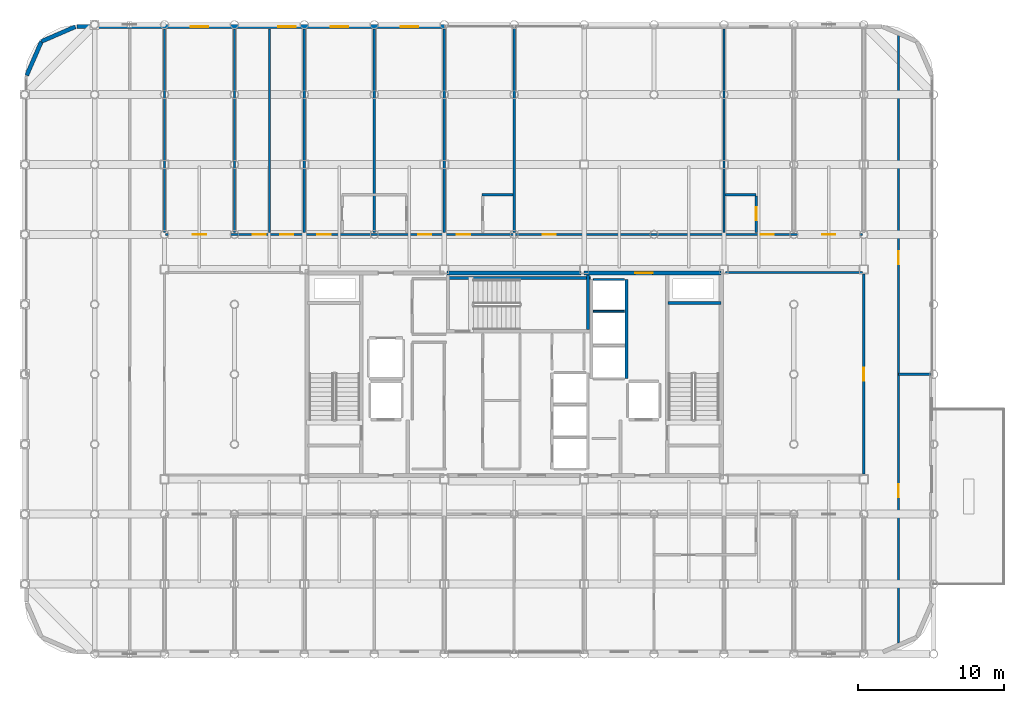
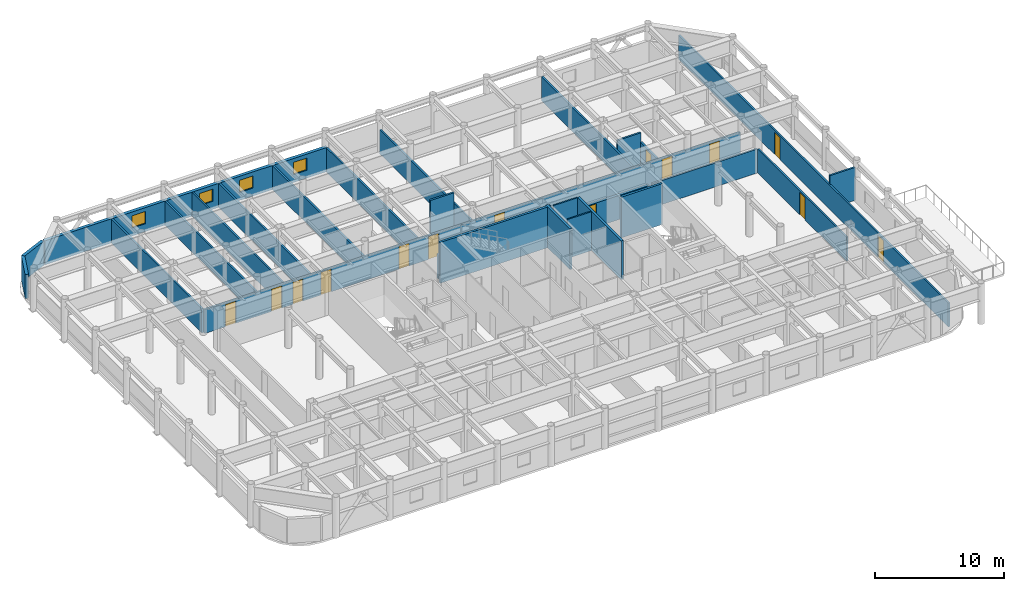
# One storey, part 22 of 25: 27 walls, 14 doors, 4 windows, 18 openings.
"""IFC4 building model written with IfcOpenShell, lengths in metres."""

from ifc_helpers import new_model, si_unit, direction, frame, frame_2d, origin, place, context, subcontext, project, spatial, rectangle, extrude, material, layer, layer_set, type_object, element, fill, save


model = new_model("IFC4")

# Units and contexts
model_context = context("Model", 3, precision=1e-05, world=origin(), true_north=direction((0.0, 1.0)))
body_context = subcontext(model_context, "Body", "Model", "MODEL_VIEW")
ifc_project = project(units=[si_unit("LENGTHUNIT", "METRE"), si_unit("AREAUNIT", "SQUARE_METRE"), si_unit("VOLUMEUNIT", "CUBIC_METRE"), si_unit("PLANEANGLEUNIT", "RADIAN"), si_unit("MASSUNIT", "GRAM", prefix="KILO")], contexts=[model_context])

# Site, building, storey
site_placement = place(None, origin())
site = spatial("IfcSite", under=ifc_project, at=site_placement, CompositionType="ELEMENT")
building_placement = place(site_placement, origin())
building = spatial("IfcBuilding", under=site, at=building_placement, Name="Kallvorn Hotel Tower", CompositionType="ELEMENT")
storey_placement = place(building_placement, frame((0.0, 0.0, 249.25)))
storey = spatial("IfcBuildingStorey", under=building, at=storey_placement, Name="L62", CompositionType="ELEMENT", Elevation=249.25)

# Wall, openings, doors
ifc_material_1 = material(Name="Fire-rated double-layer acoustic gypsum drywall EI 60")
ifc_layer_1 = layer(ifc_material_1, 0.159912109375)
ifc_layer_set_1 = layer_set([ifc_layer_1], Name="WL_DEMISE_160")
wall_type_1 = type_object("IfcWallType", Name="WL_DEMISE_160", PredefinedType="PARTITIONING", material=ifc_layer_set_1)
wall_1_placement = place(storey_placement, frame((-23.919921875, 9.60009765625, 0.0), z_axis=(0.0, 0.0, 1.0), x_axis=(1.0, 0.0, 0.0)))
wall_1 = element("IfcWall", 1, at=wall_1_placement, inside=storey, type_object=wall_type_1, Name="L62 Suite 6203 Standard Twin Room Partition", PredefinedType="PARTITIONING", context=body_context, shape_type="SweptSolid", body=[
    extrude(rectangle(XDim=47.83984375, YDim=0.159912109375, at=frame_2d((23.919921875, 0.0))), origin(), (0.0, 0.0, 1.0), 2.27001953125),
])
opening_1_placement = place(wall_1_placement, frame((1.8701171875, 0.0, 0.0)))
opening_1 = element("IfcOpeningElement", 2, at=opening_1_placement, cuts=wall_1, Name="Opening SVD1", PredefinedType="OPENING", context=body_context, shape_type="SweptSolid", body=[
    extrude(rectangle(XDim=0.89990234375, YDim=2.10009765625, at=frame_2d((0.449951171875, 1.050048828125))), frame((0.0, 0.094970703125, 0.0), z_axis=(0.0, -1.0, 0.0), x_axis=(1.0, 0.0, 0.0)), (0.0, 0.0, 1.0), 0.18994140625),
])
opening_2_placement = place(wall_1_placement, frame((45.070068359375, 0.0, 0.0)))
opening_2 = element("IfcOpeningElement", 3, at=opening_2_placement, cuts=wall_1, Name="Opening SVD1", PredefinedType="OPENING", context=body_context, shape_type="SweptSolid", body=[
    extrude(rectangle(XDim=0.89990234375, YDim=2.10009765625, at=frame_2d((0.449951171875, 1.050048828125))), frame((0.0, 0.094970703125, 0.0), z_axis=(0.0, -1.0, 0.0), x_axis=(1.0, 0.0, 0.0)), (0.0, 0.0, 1.0), 0.18994140625),
])
opening_3_placement = place(wall_1_placement, frame((5.97998046875, 0.0, 0.0)))
opening_3 = element("IfcOpeningElement", 4, at=opening_3_placement, cuts=wall_1, Name="Opening SVD1", PredefinedType="OPENING", context=body_context, shape_type="SweptSolid", body=[
    extrude(rectangle(XDim=0.89990234375, YDim=2.10009765625, at=frame_2d((0.449951171875, 1.050048828125))), frame((0.0, 0.094970703125, 0.0), z_axis=(0.0, -1.0, 0.0), x_axis=(1.0, 0.0, 0.0)), (0.0, 0.0, 1.0), 0.18994140625),
])
opening_4_placement = place(wall_1_placement, frame((7.8701171875, 0.0, 0.0)))
opening_4 = element("IfcOpeningElement", 5, at=opening_4_placement, cuts=wall_1, Name="Opening SVD1", PredefinedType="OPENING", context=body_context, shape_type="SweptSolid", body=[
    extrude(rectangle(XDim=0.89990234375, YDim=2.10009765625, at=frame_2d((0.449951171875, 1.050048828125))), frame((0.0, 0.094970703125, 0.0), z_axis=(0.0, -1.0, 0.0), x_axis=(1.0, 0.0, 0.0)), (0.0, 0.0, 1.0), 0.18994140625),
])
opening_5_placement = place(wall_1_placement, frame((10.39501953125, 0.0, 0.0)))
opening_5 = element("IfcOpeningElement", 6, at=opening_5_placement, cuts=wall_1, Name="Opening GD1", PredefinedType="OPENING", context=body_context, shape_type="SweptSolid", body=[
    extrude(rectangle(XDim=0.919921875, YDim=2.14990234375, at=frame_2d((0.4599609375, 1.074951171875))), frame((0.0, 0.094970703125, 0.0), z_axis=(0.0, -1.0, 0.0), x_axis=(1.0, 0.0, 0.0)), (0.0, 0.0, 1.0), 0.18994140625),
])
opening_6_placement = place(wall_1_placement, frame((17.324951171875, 0.0, 0.0)))
opening_6 = element("IfcOpeningElement", 7, at=opening_6_placement, cuts=wall_1, Name="Opening GD1", PredefinedType="OPENING", context=body_context, shape_type="SweptSolid", body=[
    extrude(rectangle(XDim=0.919921875, YDim=2.14990234375, at=frame_2d((0.4599609375, 1.074951171875))), frame((0.0, 0.094970703125, 0.0), z_axis=(0.0, -1.0, 0.0), x_axis=(1.0, 0.0, 0.0)), (0.0, 0.0, 1.0), 0.18994140625),
])
opening_7_placement = place(wall_1_placement, frame((19.9951171875, 0.0, 0.0)))
opening_7 = element("IfcOpeningElement", 8, at=opening_7_placement, cuts=wall_1, Name="Opening GD1", PredefinedType="OPENING", context=body_context, shape_type="SweptSolid", body=[
    extrude(rectangle(XDim=0.919921875, YDim=2.14990234375, at=frame_2d((0.4599609375, 1.074951171875))), frame((0.0, 0.094970703125, 0.0), z_axis=(0.0, -1.0, 0.0), x_axis=(1.0, 0.0, 0.0)), (0.0, 0.0, 1.0), 0.18994140625),
])
opening_8_placement = place(wall_1_placement, frame((25.8701171875, 0.0, 0.0)))
opening_8 = element("IfcOpeningElement", 9, at=opening_8_placement, cuts=wall_1, Name="Opening SVD1", PredefinedType="OPENING", context=body_context, shape_type="SweptSolid", body=[
    extrude(rectangle(XDim=0.89990234375, YDim=2.10009765625, at=frame_2d((0.449951171875, 1.050048828125))), frame((0.0, 0.094970703125, 0.0), z_axis=(0.0, -1.0, 0.0), x_axis=(1.0, 0.0, 0.0)), (0.0, 0.0, 1.0), 0.18994140625),
])
opening_9_placement = place(wall_1_placement, frame((40.830078125, 0.0, 0.0)))
opening_9 = element("IfcOpeningElement", 10, at=opening_9_placement, cuts=wall_1, Name="Opening GD1", PredefinedType="OPENING", context=body_context, shape_type="SweptSolid", body=[
    extrude(rectangle(XDim=0.919921875, YDim=2.14990234375, at=frame_2d((0.4599609375, 1.074951171875))), frame((0.0, 0.094970703125, 0.0), z_axis=(0.0, -1.0, 0.0), x_axis=(1.0, 0.0, 0.0)), (0.0, 0.0, 1.0), 0.18994140625),
])
ifc_material_2 = material(Name="Solid-core walnut veneer fire-rated timber door leaf", Category="wood")
door_type_1 = type_object("IfcDoorType", Name="DR_GUEST_920x2150", OperationType="NOTDEFINED", PredefinedType="DOOR", material=ifc_material_2)
door_1_placement = place(opening_5_placement, origin())
door_1 = element("IfcDoor", 11, at=door_1_placement, inside=storey, type_object=door_type_1, Name="L62 Suite 6203 Standard Twin Room Door", OperationType="SINGLE_SWING_RIGHT", OverallHeight=2.14990234375, OverallWidth=0.919921875, PredefinedType="DOOR", context=body_context, shape_type="SweptSolid", body=[
    extrude(rectangle(XDim=0.919921875, YDim=2.14990234375, at=frame_2d((0.4599609375, 1.074951171875))), frame((0.0, 0.02490234375, 0.0), z_axis=(0.0, -1.0, 0.0), x_axis=(1.0, 0.0, 0.0)), (0.0, 0.0, 1.0), 0.050048828125),
])
fill(opening_5, door_1)
door_2_placement = place(opening_6_placement, origin())
door_2 = element("IfcDoor", 12, at=door_2_placement, inside=storey, type_object=door_type_1, Name="L62 Suite 6204 Standard Twin Room Door", OperationType="SINGLE_SWING_RIGHT", OverallHeight=2.14990234375, OverallWidth=0.919921875, PredefinedType="DOOR", context=body_context, shape_type="SweptSolid", body=[
    extrude(rectangle(XDim=0.919921875, YDim=2.14990234375, at=frame_2d((0.4599609375, 1.074951171875))), frame((0.0, 0.02490234375, 0.0), z_axis=(0.0, -1.0, 0.0), x_axis=(1.0, 0.0, 0.0)), (0.0, 0.0, 1.0), 0.050048828125),
])
fill(opening_6, door_2)
door_3_placement = place(opening_7_placement, origin())
door_3 = element("IfcDoor", 13, at=door_3_placement, inside=storey, type_object=door_type_1, Name="L62 Suite 6205 Standard Twin Room Door", OperationType="SINGLE_SWING_RIGHT", OverallHeight=2.14990234375, OverallWidth=0.919921875, PredefinedType="DOOR", context=body_context, shape_type="SweptSolid", body=[
    extrude(rectangle(XDim=0.919921875, YDim=2.14990234375, at=frame_2d((0.4599609375, 1.074951171875))), frame((0.0, 0.02490234375, 0.0), z_axis=(0.0, -1.0, 0.0), x_axis=(1.0, 0.0, 0.0)), (0.0, 0.0, 1.0), 0.050048828125),
])
fill(opening_7, door_3)
door_4_placement = place(opening_9_placement, origin())
door_4 = element("IfcDoor", 14, at=door_4_placement, inside=storey, type_object=door_type_1, Name="L62 Suite 6206 Standard Twin Room Door", OperationType="SINGLE_SWING_RIGHT", OverallHeight=2.14990234375, OverallWidth=0.919921875, PredefinedType="DOOR", context=body_context, shape_type="SweptSolid", body=[
    extrude(rectangle(XDim=0.919921875, YDim=2.14990234375, at=frame_2d((0.4599609375, 1.074951171875))), frame((0.0, 0.02490234375, 0.0), z_axis=(0.0, -1.0, 0.0), x_axis=(1.0, 0.0, 0.0)), (0.0, 0.0, 1.0), 0.050048828125),
])
fill(opening_9, door_4)
ifc_material_3 = material(Name="Galvanised painted steel fire-rated door assembly", Category="steel")
door_type_2 = type_object("IfcDoorType", Name="DR_SERV_900x2100", OperationType="NOTDEFINED", PredefinedType="DOOR", material=ifc_material_3)
door_5_placement = place(opening_1_placement, origin())
door_5 = element("IfcDoor", 15, at=door_5_placement, inside=storey, type_object=door_type_2, Name="L62 L62 High-Zone North-West Reading Salon Door", OperationType="SINGLE_SWING_RIGHT", OverallHeight=2.10009765625, OverallWidth=0.89990234375, PredefinedType="DOOR", context=body_context, shape_type="SweptSolid", body=[
    extrude(rectangle(XDim=0.89990234375, YDim=2.10009765625, at=frame_2d((0.449951171875, 1.050048828125))), frame((0.0, 0.02490234375, 0.0), z_axis=(0.0, -1.0, 0.0), x_axis=(1.0, 0.0, 0.0)), (0.0, 0.0, 1.0), 0.050048828125),
])
fill(opening_1, door_5)
door_6_placement = place(opening_2_placement, origin())
door_6 = element("IfcDoor", 16, at=door_6_placement, inside=storey, type_object=door_type_2, Name="L62 L62 High-Zone North-East Pastry Bar Door", OperationType="SINGLE_SWING_LEFT", OverallHeight=2.10009765625, OverallWidth=0.89990234375, PredefinedType="DOOR", context=body_context, shape_type="SweptSolid", body=[
    extrude(rectangle(XDim=0.89990234375, YDim=2.10009765625, at=frame_2d((0.449951171875, 1.050048828125))), frame((0.0, 0.02490234375, 0.0), z_axis=(0.0, -1.0, 0.0), x_axis=(1.0, 0.0, 0.0)), (0.0, 0.0, 1.0), 0.050048828125),
])
fill(opening_2, door_6)
door_7_placement = place(opening_3_placement, origin())
door_7 = element("IfcDoor", 17, at=door_7_placement, inside=storey, type_object=door_type_2, Name="L62 Housekeeping and Linen Room Door", OperationType="SINGLE_SWING_RIGHT", OverallHeight=2.10009765625, OverallWidth=0.89990234375, PredefinedType="DOOR", context=body_context, shape_type="SweptSolid", body=[
    extrude(rectangle(XDim=0.89990234375, YDim=2.10009765625, at=frame_2d((0.449951171875, 1.050048828125))), frame((0.0, 0.02490234375, 0.0), z_axis=(0.0, -1.0, 0.0), x_axis=(1.0, 0.0, 0.0)), (0.0, 0.0, 1.0), 0.050048828125),
])
fill(opening_3, door_7)
door_8_placement = place(opening_4_placement, origin())
door_8 = element("IfcDoor", 18, at=door_8_placement, inside=storey, type_object=door_type_2, Name="L62 Guest Tea and Refreshment Bar Door", OperationType="SINGLE_SWING_LEFT", OverallHeight=2.10009765625, OverallWidth=0.89990234375, PredefinedType="DOOR", context=body_context, shape_type="SweptSolid", body=[
    extrude(rectangle(XDim=0.89990234375, YDim=2.10009765625, at=frame_2d((0.449951171875, 1.050048828125))), frame((0.0, 0.02490234375, 0.0), z_axis=(0.0, -1.0, 0.0), x_axis=(1.0, 0.0, 0.0)), (0.0, 0.0, 1.0), 0.050048828125),
])
fill(opening_4, door_8)
door_9_placement = place(opening_8_placement, origin())
door_9 = element("IfcDoor", 19, at=door_9_placement, inside=storey, type_object=door_type_2, Name="L62 L62 Cordillera Botanical Tea Salon 5 Door", OperationType="SINGLE_SWING_LEFT", OverallHeight=2.10009765625, OverallWidth=0.89990234375, PredefinedType="DOOR", context=body_context, shape_type="SweptSolid", body=[
    extrude(rectangle(XDim=0.89990234375, YDim=2.10009765625, at=frame_2d((0.449951171875, 1.050048828125))), frame((0.0, 0.02490234375, 0.0), z_axis=(0.0, -1.0, 0.0), x_axis=(1.0, 0.0, 0.0)), (0.0, 0.0, 1.0), 0.050048828125),
])
fill(opening_8, door_9)

# Walls
wall_2_placement = place(storey_placement, frame((-2.2099609375, 12.320068359375, 0.0), z_axis=(0.0, 0.0, 1.0), x_axis=(1.0, 0.0, 0.0)))
element("IfcWall", 20, at=wall_2_placement, inside=storey, type_object=wall_type_1, Name="L62 Suite 6205 Standard Twin Room Partition", PredefinedType="PARTITIONING", context=body_context, shape_type="SweptSolid", body=[
    extrude(rectangle(XDim=2.1298828125, YDim=0.159912109375, at=frame_2d((1.06494140625, 0.0))), origin(), (0.0, 0.0, 1.0), 3.31005859375),
])
wall_3_placement = place(storey_placement, frame((14.47998046875, 12.320068359375, 0.0), z_axis=(0.0, 0.0, 1.0), x_axis=(1.0, 0.0, 0.0)))
element("IfcWall", 21, at=wall_3_placement, inside=storey, type_object=wall_type_1, Name="L62 Suite 6206 Standard Twin Room Partition", PredefinedType="PARTITIONING", context=body_context, shape_type="SweptSolid", body=[
    extrude(rectangle(XDim=2.130126953125, YDim=0.159912109375, at=frame_2d((1.06494140625, 0.0))), origin(), (0.0, 0.0, 1.0), 3.1201171875),
])
for number, where, z_axis, x_axis, name in (
    (22, (-14.39990234375, 9.719970703125, 0.0), (0.0, 0.0, 1.0), (0.0, 1.0, 0.0), "L62 Suite 6203 Standard Twin Room Partition"),
    (23, (-9.60009765625, 9.719970703125, 0.0), (0.0, 0.0, 1.0), (0.0, 1.0, 0.0), "L62 Suite 6203 Standard Twin Room Partition"),
    (24, (-4.800048828125, 9.719970703125, 0.0), (0.0, 0.0, 1.0), (0.0, 1.0, 0.0), "L62 Suite 6204 Standard Twin Room Partition"),
):
    element("IfcWall", number, at=place(storey_placement, frame(where, z_axis=z_axis, x_axis=x_axis)), inside=storey, type_object=wall_type_1, Name=name, PredefinedType="PARTITIONING", context=body_context, shape_type="SweptSolid", body=[
        extrude(rectangle(XDim=13.989990234375, YDim=0.159912109375, at=frame_2d((6.9951171875, 0.0))), origin(), (0.0, 0.0, 1.0), 2.27001953125),
    ])
wall_4_placement = place(storey_placement, frame((0.0, 9.719970703125, 0.0), z_axis=(0.0, 0.0, 1.0), x_axis=(0.0, 1.0, 0.0)))
element("IfcWall", 25, at=wall_4_placement, inside=storey, type_object=wall_type_1, Name="L62 Suite 6205 Standard Twin Room Partition", PredefinedType="PARTITIONING", context=body_context, shape_type="SweptSolid", body=[
    extrude(rectangle(XDim=14.074951171875, YDim=0.159912109375, at=frame_2d((7.03759765625, 0.0))), origin(), (0.0, 0.0, 1.0), 2.27001953125),
])
wall_5_placement = place(storey_placement, frame((14.39990234375, 9.719970703125, 0.0), z_axis=(0.0, 0.0, 1.0), x_axis=(0.0, 1.0, 0.0)))
element("IfcWall", 26, at=wall_5_placement, inside=storey, type_object=wall_type_1, Name="L62 Suite 6206 Standard Twin Room Partition", PredefinedType="PARTITIONING", context=body_context, shape_type="SweptSolid", body=[
    extrude(rectangle(XDim=13.989990234375, YDim=0.159912109375, at=frame_2d((6.9951171875, 0.0))), origin(), (0.0, 0.0, 1.0), 2.27001953125),
])

# Wall, opening, door
wall_6_placement = place(storey_placement, frame((16.610107421875, 9.719970703125, 0.0), z_axis=(0.0, 0.0, 1.0), x_axis=(0.0, 1.0, 0.0)))
wall_6 = element("IfcWall", 27, at=wall_6_placement, inside=storey, type_object=wall_type_1, Name="L62 Suite 6206 Standard Twin Room Partition", PredefinedType="PARTITIONING", context=body_context, shape_type="SweptSolid", body=[
    extrude(rectangle(XDim=2.51513671875, YDim=0.159912109375, at=frame_2d((1.257568359375, 0.0))), origin(), (0.0, 0.0, 1.0), 2.27001953125),
])
opening_10_placement = place(wall_6_placement, frame((0.8701171875, 0.0, 0.0)))
opening_10 = element("IfcOpeningElement", 28, at=opening_10_placement, cuts=wall_6, Name="Opening BD-I", PredefinedType="OPENING", context=body_context, shape_type="SweptSolid", body=[
    extrude(rectangle(XDim=0.860107421875, YDim=2.10009765625, at=frame_2d((0.43017578125, 1.050048828125))), frame((0.0, 0.094970703125, 0.0), z_axis=(0.0, -1.0, 0.0), x_axis=(1.0, 0.0, 0.0)), (0.0, 0.0, 1.0), 0.18994140625),
])
ifc_material_4 = material(Name="Solid-core walnut veneer fire-rated timber door leaf", Category="wood")
door_type_3 = type_object("IfcDoorType", Name="DR_BATH_860x2100", OperationType="NOTDEFINED", PredefinedType="DOOR", material=ifc_material_4)
door_10_placement = place(opening_10_placement, origin())
door_10 = element("IfcDoor", 29, at=door_10_placement, inside=storey, type_object=door_type_3, Name="L62 Suite 6206 En-Suite Bathroom Door", OperationType="SINGLE_SWING_RIGHT", OverallHeight=2.10009765625, OverallWidth=0.860107421875, PredefinedType="DOOR", context=body_context, shape_type="SweptSolid", body=[
    extrude(rectangle(XDim=0.860107421875, YDim=2.10009765625, at=frame_2d((0.43017578125, 1.050048828125))), frame((0.0, 0.02490234375, 0.0), z_axis=(0.0, -1.0, 0.0), x_axis=(1.0, 0.0, 0.0)), (0.0, 0.0, 1.0), 0.050048828125),
])
fill(opening_10, door_10)

# Walls
ifc_material_5 = material(Name="Precast basalt-clad insulated concrete wall C40/50", Category="masonry")
ifc_layer_2 = layer(ifc_material_5, 0.280029296875)
ifc_layer_set_2 = layer_set([ifc_layer_2], Name="WL_EXT_LOGGIA_280")
wall_type_2 = type_object("IfcWallType", Name="WL_EXT_LOGGIA_280", PredefinedType="SOLIDWALL", material=ifc_layer_set_2)
wall_7_placement = place(storey_placement, frame((-30.120849609375, 23.85791015625, 0.0), z_axis=(0.0, 0.0, 1.0), x_axis=(-0.917060872934, -0.398747232384, 0.0)))
element("IfcWall", 30, at=wall_7_placement, inside=storey, type_object=wall_type_2, Name="L62 Rounded Corner Exterior Wall NW1", PredefinedType="SOLIDWALL", context=body_context, shape_type="SweptSolid", body=[
    extrude(rectangle(XDim=2.5361328125, YDim=0.280029296875, at=frame_2d((1.26806640625, 0.0))), origin(), (0.0, 0.0, 1.0), 2.27001953125),
])
wall_8_placement = place(storey_placement, frame((-32.446533203125, 22.8466796875, 0.0), z_axis=(0.0, 0.0, 1.0), x_axis=(-0.398792985289, -0.917040977756, 0.0)))
element("IfcWall", 31, at=wall_8_placement, inside=storey, type_object=wall_type_2, Name="L62 Rounded Corner Exterior Wall NW2", PredefinedType="SOLIDWALL", context=body_context, shape_type="SweptSolid", body=[
    extrude(rectangle(XDim=2.536376953125, YDim=0.280029296875, at=frame_2d((1.26806640625, 0.0))), origin(), (0.0, 0.0, 1.0), 2.27001953125),
])

# Wall, openings, windows
wall_9_placement = place(storey_placement, frame((-30.0, 23.860107421875, 0.0), z_axis=(0.0, 0.0, 1.0), x_axis=(1.0, 0.0, 0.0)))
wall_9 = element("IfcWall", 32, at=wall_9_placement, inside=storey, type_object=wall_type_2, Name="L62 Exterior Envelope Wall EW-L62-NW", PredefinedType="SOLIDWALL", context=body_context, shape_type="SweptSolid", body=[
    extrude(rectangle(XDim=25.25, YDim=0.280029296875, at=frame_2d((12.625, 0.0))), origin(), (0.0, 0.0, 1.0), 2.27001953125),
])
opening_11_placement = place(wall_9_placement, frame((7.800048828125, 0.0, 0.75)))
opening_11 = element("IfcOpeningElement", 33, at=opening_11_placement, cuts=wall_9, Name="Opening W06A", PredefinedType="OPENING", context=body_context, shape_type="SweptSolid", body=[
    extrude(rectangle(XDim=1.199951171875, YDim=1.14990234375, at=frame_2d((0.60009765625, 0.574951171875))), frame((0.0, 0.155029296875, 0.0), z_axis=(0.0, -1.0, 0.0), x_axis=(1.0, 0.0, 0.0)), (0.0, 0.0, 1.0), 0.31005859375),
])
opening_12_placement = place(wall_9_placement, frame((13.800048828125, 0.0, 0.75)))
opening_12 = element("IfcOpeningElement", 34, at=opening_12_placement, cuts=wall_9, Name="Opening W06A", PredefinedType="OPENING", context=body_context, shape_type="SweptSolid", body=[
    extrude(rectangle(XDim=1.199951171875, YDim=1.14990234375, at=frame_2d((0.60009765625, 0.574951171875))), frame((0.0, 0.155029296875, 0.0), z_axis=(0.0, -1.0, 0.0), x_axis=(1.0, 0.0, 0.0)), (0.0, 0.0, 1.0), 0.31005859375),
])
opening_13_placement = place(wall_9_placement, frame((17.39990234375, 0.0, 0.75)))
opening_13 = element("IfcOpeningElement", 35, at=opening_13_placement, cuts=wall_9, Name="Opening W06A", PredefinedType="OPENING", context=body_context, shape_type="SweptSolid", body=[
    extrude(rectangle(XDim=1.199951171875, YDim=1.14990234375, at=frame_2d((0.60009765625, 0.574951171875))), frame((0.0, 0.155029296875, 0.0), z_axis=(0.0, -1.0, 0.0), x_axis=(1.0, 0.0, 0.0)), (0.0, 0.0, 1.0), 0.31005859375),
])
opening_14_placement = place(wall_9_placement, frame((22.199951171875, 0.0, 0.75)))
opening_14 = element("IfcOpeningElement", 36, at=opening_14_placement, cuts=wall_9, Name="Opening W06A", PredefinedType="OPENING", context=body_context, shape_type="SweptSolid", body=[
    extrude(rectangle(XDim=1.199951171875, YDim=1.14990234375, at=frame_2d((0.60009765625, 0.574951171875))), frame((0.0, 0.155029296875, 0.0), z_axis=(0.0, -1.0, 0.0), x_axis=(1.0, 0.0, 0.0)), (0.0, 0.0, 1.0), 0.31005859375),
])
ifc_material_6 = material(Name="Triple-glazed low-e acoustic solar-control dark glass", Category="glass")
window_type = type_object("IfcWindowType", Name="WN_HTL_1200x1150", PartitioningType="SINGLE_PANEL", PredefinedType="WINDOW", material=ifc_material_6)
window_1_placement = place(opening_11_placement, origin())
window_1 = element("IfcWindow", 37, at=window_1_placement, inside=storey, type_object=window_type, Name="L62 Guestroom Exterior Window 02", OverallHeight=1.14990234375, OverallWidth=1.199951171875, PartitioningType="SINGLE_PANEL", PredefinedType="WINDOW", context=body_context, shape_type="SweptSolid", body=[
    extrude(rectangle(XDim=1.199951171875, YDim=1.14990234375, at=frame_2d((0.60009765625, 0.574951171875))), frame((0.0, 0.030029296875, 0.0), z_axis=(0.0, -1.0, 0.0), x_axis=(1.0, 0.0, 0.0)), (0.0, 0.0, 1.0), 0.06005859375),
])
fill(opening_11, window_1)
window_2_placement = place(opening_12_placement, origin())
window_2 = element("IfcWindow", 38, at=window_2_placement, inside=storey, type_object=window_type, Name="L62 Guestroom Exterior Window 10", OverallHeight=1.14990234375, OverallWidth=1.199951171875, PartitioningType="SINGLE_PANEL", PredefinedType="WINDOW", context=body_context, shape_type="SweptSolid", body=[
    extrude(rectangle(XDim=1.199951171875, YDim=1.14990234375, at=frame_2d((0.60009765625, 0.574951171875))), frame((0.0, 0.030029296875, 0.0), z_axis=(0.0, -1.0, 0.0), x_axis=(1.0, 0.0, 0.0)), (0.0, 0.0, 1.0), 0.06005859375),
])
fill(opening_12, window_2)
window_3_placement = place(opening_13_placement, origin())
window_3 = element("IfcWindow", 39, at=window_3_placement, inside=storey, type_object=window_type, Name="L62 Guestroom Exterior Window 11", OverallHeight=1.14990234375, OverallWidth=1.199951171875, PartitioningType="SINGLE_PANEL", PredefinedType="WINDOW", context=body_context, shape_type="SweptSolid", body=[
    extrude(rectangle(XDim=1.199951171875, YDim=1.14990234375, at=frame_2d((0.60009765625, 0.574951171875))), frame((0.0, 0.030029296875, 0.0), z_axis=(0.0, -1.0, 0.0), x_axis=(1.0, 0.0, 0.0)), (0.0, 0.0, 1.0), 0.06005859375),
])
fill(opening_13, window_3)
window_4_placement = place(opening_14_placement, origin())
window_4 = element("IfcWindow", 40, at=window_4_placement, inside=storey, type_object=window_type, Name="L62 Guestroom Exterior Window 12", OverallHeight=1.14990234375, OverallWidth=1.199951171875, PartitioningType="SINGLE_PANEL", PredefinedType="WINDOW", context=body_context, shape_type="SweptSolid", body=[
    extrude(rectangle(XDim=1.199951171875, YDim=1.14990234375, at=frame_2d((0.60009765625, 0.574951171875))), frame((0.0, 0.030029296875, 0.0), z_axis=(0.0, -1.0, 0.0), x_axis=(1.0, 0.0, 0.0)), (0.0, 0.0, 1.0), 0.06005859375),
])
fill(opening_14, window_4)

# Walls
ifc_material_7 = material(Name="Concrete C40/50", Category="concrete")
ifc_layer_3 = layer(ifc_material_7, 0.199951171875)
ifc_layer_set_3 = layer_set([ifc_layer_3], Name="WL_HOIST_200")
wall_type_3 = type_object("IfcWallType", Name="WL_HOIST_200", PredefinedType="SOLIDWALL", material=ifc_layer_set_3)
wall_10_placement = place(storey_placement, frame((10.550048828125, 4.89990234375, -0.179931640625), z_axis=(0.0, 0.0, 1.0), x_axis=(1.0, 0.0, 0.0)))
element("IfcWall", 41, at=wall_10_placement, inside=storey, type_object=wall_type_3, Name="L62 Stair ST2 North Wall", PredefinedType="SOLIDWALL", context=body_context, shape_type="SweptSolid", body=[
    extrude(rectangle(XDim=3.64990234375, YDim=0.199951171875, at=frame_2d((1.824951171875, 0.0))), origin(), (0.0, 0.0, 1.0), 3.849853515625),
])
wall_11_placement = place(storey_placement, frame((-4.64990234375, 6.610107421875, -0.179931640625), z_axis=(0.0, 0.0, 1.0), x_axis=(1.0, 0.0, 0.0)))
element("IfcWall", 42, at=wall_11_placement, inside=storey, type_object=wall_type_3, Name="L62 Stair ST3 Shaft North Wall", PredefinedType="SOLIDWALL", context=body_context, shape_type="SweptSolid", body=[
    extrude(rectangle(XDim=9.89990234375, YDim=0.199951171875, at=frame_2d((4.949951171875, 0.0))), origin(), (0.0, 0.0, 1.0), 3.849853515625),
])
wall_12_placement = place(storey_placement, frame((5.06005859375, 3.080078125, -0.179931640625), z_axis=(0.0, 0.0, 1.0), x_axis=(0.0, 1.0, 0.0)))
element("IfcWall", 43, at=wall_12_placement, inside=storey, type_object=wall_type_3, Name="L62 Stair ST3 East Wall", PredefinedType="SOLIDWALL", context=body_context, shape_type="SweptSolid", body=[
    extrude(rectangle(XDim=3.739990234375, YDim=0.199951171875, at=frame_2d((1.8701171875, 0.0))), origin(), (0.0, 0.0, 1.0), 3.849853515625),
])
wall_13_placement = place(storey_placement, frame((7.699951171875, -0.300048828125, 0.0), z_axis=(0.0, 0.0, 1.0), x_axis=(0.0, 1.0, 0.0)))
element("IfcWall", 44, at=wall_13_placement, inside=storey, type_object=wall_type_3, Name="L62 Lift Bank OBS Landing Wall", PredefinedType="SOLIDWALL", context=body_context, shape_type="SweptSolid", body=[
    extrude(rectangle(XDim=6.800048828125, YDim=0.199951171875, at=frame_2d((3.39990234375, 0.0))), origin(), (0.0, 0.0, 1.0), 3.669921875),
])
ifc_material_8 = material(Name="Fire-rated double-layer acoustic gypsum drywall EI 60")
ifc_layer_4 = layer(ifc_material_8, 0.1201171875)
ifc_layer_set_4 = layer_set([ifc_layer_4], Name="WL_INT_120")
wall_type_4 = type_object("IfcWallType", Name="WL_INT_120", PredefinedType="PARTITIONING", material=ifc_layer_set_4)
for number, where, z_axis, x_axis, name in (
    (45, (5.43994140625, 4.324951171875, 0.0), (0.0, 0.0, 1.0), (1.0, 0.0, 0.0), "L62 OB-02 Hoistway Divider"),
    (46, (5.43994140625, 6.5, 0.0), (0.0, 0.0, 1.0), (1.0, 0.0, 0.0), "L62 OB-03 Hoistway Divider"),
):
    element("IfcWall", number, at=place(storey_placement, frame(where, z_axis=z_axis, x_axis=x_axis)), inside=storey, type_object=wall_type_4, Name=name, PredefinedType="PARTITIONING", context=body_context, shape_type="SweptSolid", body=[
        extrude(rectangle(XDim=2.1201171875, YDim=0.1201171875, at=frame_2d((1.06005859375, 0.0))), origin(), (0.0, 0.0, 1.0), 3.669921875),
    ])
ifc_material_9 = material(Name="Fire-rated double-layer acoustic gypsum drywall EI 60")
ifc_layer_5 = layer(ifc_material_9, 0.14990234375)
ifc_layer_set_5 = layer_set([ifc_layer_5], Name="WL_PART_150")
wall_type_5 = type_object("IfcWallType", Name="WL_PART_150", PredefinedType="PARTITIONING", material=ifc_layer_set_5)
wall_14_placement = place(storey_placement, frame((26.3798828125, 0.0, 0.0), z_axis=(0.0, 0.0, 1.0), x_axis=(1.0, 0.0, 0.0)))
element("IfcWall", 47, at=wall_14_placement, inside=storey, type_object=wall_type_5, Name="L62 L62 Outer East South Tasting Bar Partition", PredefinedType="PARTITIONING", context=body_context, shape_type="SweptSolid", body=[
    extrude(rectangle(XDim=2.25, YDim=0.14990234375, at=frame_2d((1.125, 0.0))), origin(), (0.0, 0.0, 1.0), 3.1201171875),
])
wall_15_placement = place(storey_placement, frame((14.52001953125, 6.97998046875, 0.0), z_axis=(0.0, 0.0, 1.0), x_axis=(1.0, 0.0, 0.0)))
element("IfcWall", 48, at=wall_15_placement, inside=storey, type_object=wall_type_5, Name="L62 L62 High-Zone Inner East Club Gallery Partition", PredefinedType="PARTITIONING", context=body_context, shape_type="SweptSolid", body=[
    extrude(rectangle(XDim=9.39990234375, YDim=0.14990234375, at=frame_2d((4.699951171875, 0.0))), origin(), (0.0, 0.0, 1.0), 2.27001953125),
])
for number, where, z_axis, x_axis, name in (
    (49, (-24.0, 9.719970703125, 0.0), (0.0, 0.0, 1.0), (0.0, 1.0, 0.0), "L62 L62 High-Zone North-West Reading Salon Partition"),
    (50, (-19.199951171875, 9.719970703125, 0.0), (0.0, 0.0, 1.0), (0.0, 1.0, 0.0), "L62 Housekeeping and Linen Room Partition"),
    (51, (-16.800048828125, 9.719970703125, 0.0), (0.0, 0.0, 1.0), (0.0, 1.0, 0.0), "L62 Guest Tea and Refreshment Bar Partition"),
):
    element("IfcWall", number, at=place(storey_placement, frame(where, z_axis=z_axis, x_axis=x_axis)), inside=storey, type_object=wall_type_5, Name=name, PredefinedType="PARTITIONING", context=body_context, shape_type="SweptSolid", body=[
        extrude(rectangle(XDim=13.989990234375, YDim=0.14990234375, at=frame_2d((6.9951171875, 0.0))), origin(), (0.0, 0.0, 1.0), 2.27001953125),
    ])

# Wall, opening, door
wall_16_placement = place(storey_placement, frame((24.0, -6.8349609375, 0.0), z_axis=(0.0, 0.0, 1.0), x_axis=(0.0, 1.0, 0.0)))
wall_16 = element("IfcWall", 52, at=wall_16_placement, inside=storey, type_object=wall_type_5, Name="L62 L62 High-Zone Inner East Club Gallery Partition", PredefinedType="PARTITIONING", context=body_context, shape_type="SweptSolid", body=[
    extrude(rectangle(XDim=13.72998046875, YDim=0.14990234375, at=frame_2d((6.864990234375, 0.0))), origin(), (0.0, 0.0, 1.0), 2.27001953125),
])
opening_15_placement = place(wall_16_placement, frame((6.385009765625, 0.0, 0.0)))
opening_15 = element("IfcOpeningElement", 53, at=opening_15_placement, cuts=wall_16, Name="Opening SVD1", PredefinedType="OPENING", context=body_context, shape_type="SweptSolid", body=[
    extrude(rectangle(XDim=0.89990234375, YDim=2.10009765625, at=frame_2d((0.449951171875, 1.050048828125))), frame((0.0, 0.08984375, 0.0), z_axis=(0.0, -1.0, 0.0), x_axis=(1.0, 0.0, 0.0)), (0.0, 0.0, 1.0), 0.179931640625),
])
door_11_placement = place(opening_15_placement, origin())
door_11 = element("IfcDoor", 54, at=door_11_placement, inside=storey, type_object=door_type_2, Name="L62 L62 High-Zone Inner East Club Gallery Door", OperationType="SINGLE_SWING_RIGHT", OverallHeight=2.10009765625, OverallWidth=0.89990234375, PredefinedType="DOOR", context=body_context, shape_type="SweptSolid", body=[
    extrude(rectangle(XDim=0.89990234375, YDim=2.10009765625, at=frame_2d((0.449951171875, 1.050048828125))), frame((0.0, 0.02490234375, 0.0), z_axis=(0.0, -1.0, 0.0), x_axis=(1.0, 0.0, 0.0)), (0.0, 0.0, 1.0), 0.050048828125),
])
fill(opening_15, door_11)

# Wall, openings, doors
wall_17_placement = place(storey_placement, frame((26.3798828125, -18.447265625, 0.0), z_axis=(0.0, 0.0, 1.0), x_axis=(0.0, 1.0, 0.0)))
wall_17 = element("IfcWall", 55, at=wall_17_placement, inside=storey, type_object=wall_type_5, Name="L62 L62 Outer East South Tasting Bar Partition", PredefinedType="PARTITIONING", context=body_context, shape_type="SweptSolid", body=[
    extrude(rectangle(XDim=41.694580078125, YDim=0.14990234375, at=frame_2d((20.84716796875, 0.0))), origin(), (0.0, 0.0, 1.0), 2.27001953125),
])
opening_16_placement = place(wall_17_placement, frame((9.997314453125, 0.0, 0.0)))
opening_16 = element("IfcOpeningElement", 56, at=opening_16_placement, cuts=wall_17, Name="Opening SVD1", PredefinedType="OPENING", context=body_context, shape_type="SweptSolid", body=[
    extrude(rectangle(XDim=0.89990234375, YDim=2.10009765625, at=frame_2d((0.449951171875, 1.050048828125))), frame((0.0, 0.08984375, 0.0), z_axis=(0.0, -1.0, 0.0), x_axis=(1.0, 0.0, 0.0)), (0.0, 0.0, 1.0), 0.179931640625),
])
opening_17_placement = place(wall_17_placement, frame((25.997314453125, 0.0, 0.0)))
opening_17 = element("IfcOpeningElement", 57, at=opening_17_placement, cuts=wall_17, Name="Opening SVD1", PredefinedType="OPENING", context=body_context, shape_type="SweptSolid", body=[
    extrude(rectangle(XDim=0.89990234375, YDim=2.10009765625, at=frame_2d((0.449951171875, 1.050048828125))), frame((0.0, 0.08984375, 0.0), z_axis=(0.0, -1.0, 0.0), x_axis=(1.0, 0.0, 0.0)), (0.0, 0.0, 1.0), 0.179931640625),
])
door_12_placement = place(opening_16_placement, origin())
door_12 = element("IfcDoor", 58, at=door_12_placement, inside=storey, type_object=door_type_2, Name="L62 L62 Outer East South Tasting Bar Door", OperationType="SINGLE_SWING_RIGHT", OverallHeight=2.10009765625, OverallWidth=0.89990234375, PredefinedType="DOOR", context=body_context, shape_type="SweptSolid", body=[
    extrude(rectangle(XDim=0.89990234375, YDim=2.10009765625, at=frame_2d((0.449951171875, 1.050048828125))), frame((0.0, 0.02490234375, 0.0), z_axis=(0.0, -1.0, 0.0), x_axis=(1.0, 0.0, 0.0)), (0.0, 0.0, 1.0), 0.050048828125),
])
fill(opening_16, door_12)
door_13_placement = place(opening_17_placement, origin())
door_13 = element("IfcDoor", 59, at=door_13_placement, inside=storey, type_object=door_type_2, Name="L62 L62 Outer East North Collectors Gallery Door", OperationType="SINGLE_SWING_RIGHT", OverallHeight=2.10009765625, OverallWidth=0.89990234375, PredefinedType="DOOR", context=body_context, shape_type="SweptSolid", body=[
    extrude(rectangle(XDim=0.89990234375, YDim=2.10009765625, at=frame_2d((0.449951171875, 1.050048828125))), frame((0.0, 0.02490234375, 0.0), z_axis=(0.0, -1.0, 0.0), x_axis=(1.0, 0.0, 0.0)), (0.0, 0.0, 1.0), 0.050048828125),
])
fill(opening_17, door_13)

# Wall
ifc_material_10 = material(Name="Concrete C40/50", Category="concrete")
ifc_layer_6 = layer(ifc_material_10, 0.25)
ifc_layer_set_6 = layer_set([ifc_layer_6], Name="WL_SHAFT_250")
wall_type_6 = type_object("IfcWallType", Name="WL_SHAFT_250", PredefinedType="SOLIDWALL", material=ifc_layer_set_6)
wall_18_placement = place(storey_placement, frame((-4.60009765625, 6.949951171875, 0.0), z_axis=(0.0, 0.0, 1.0), x_axis=(1.0, 0.0, 0.0)))
element("IfcWall", 60, at=wall_18_placement, inside=storey, type_object=wall_type_6, Name="L62 Core North-Central Wall", PredefinedType="SOLIDWALL", context=body_context, shape_type="SweptSolid", body=[
    extrude(rectangle(XDim=9.2001953125, YDim=0.25, at=frame_2d((4.60009765625, 0.0))), origin(), (0.0, 0.0, 1.0), 2.27001953125),
])

# Wall, opening, door
wall_19_placement = place(storey_placement, frame((4.800048828125, 6.949951171875, 0.0), z_axis=(0.0, 0.0, 1.0), x_axis=(1.0, 0.0, 0.0)))
wall_19 = element("IfcWall", 61, at=wall_19_placement, inside=storey, type_object=wall_type_6, Name="L62 Core North-East Wall", PredefinedType="SOLIDWALL", context=body_context, shape_type="SweptSolid", body=[
    extrude(rectangle(XDim=9.39990234375, YDim=0.25, at=frame_2d((4.699951171875, 0.0))), origin(), (0.0, 0.0, 1.0), 2.27001953125),
])
opening_18_placement = place(wall_19_placement, frame((3.5, 0.0, 0.0)))
opening_18 = element("IfcOpeningElement", 62, at=opening_18_placement, cuts=wall_19, Name="Opening FD2", PredefinedType="OPENING", context=body_context, shape_type="SweptSolid", body=[
    extrude(rectangle(XDim=1.199951171875, YDim=2.199951171875, at=frame_2d((0.60009765625, 1.10009765625))), frame((0.0, 0.139892578125, 0.0), z_axis=(0.0, -1.0, 0.0), x_axis=(1.0, 0.0, 0.0)), (0.0, 0.0, 1.0), 0.280029296875),
])
ifc_material_11 = material(Name="Galvanised painted steel fire-rated door assembly", Category="steel")
door_type_4 = type_object("IfcDoorType", Name="DR_LOBBY_1200x2200", OperationType="DOUBLE_DOOR_SINGLE_SWING", PredefinedType="DOOR", material=ifc_material_11)
door_14_placement = place(opening_18_placement, origin())
door_14 = element("IfcDoor", 63, at=door_14_placement, inside=storey, type_object=door_type_4, Name="L62 Observatory Shuttle Lobby Door", OperationType="DOUBLE_DOOR_SINGLE_SWING", OverallHeight=2.199951171875, OverallWidth=1.199951171875, PredefinedType="DOOR", context=body_context, shape_type="SweptSolid", body=[
    extrude(rectangle(XDim=1.199951171875, YDim=2.199951171875, at=frame_2d((0.60009765625, 1.10009765625))), frame((0.0, 0.02490234375, 0.0), z_axis=(0.0, -1.0, 0.0), x_axis=(1.0, 0.0, 0.0)), (0.0, 0.0, 1.0), 0.050048828125),
])
fill(opening_18, door_14)

save(model, "model.ifc")
